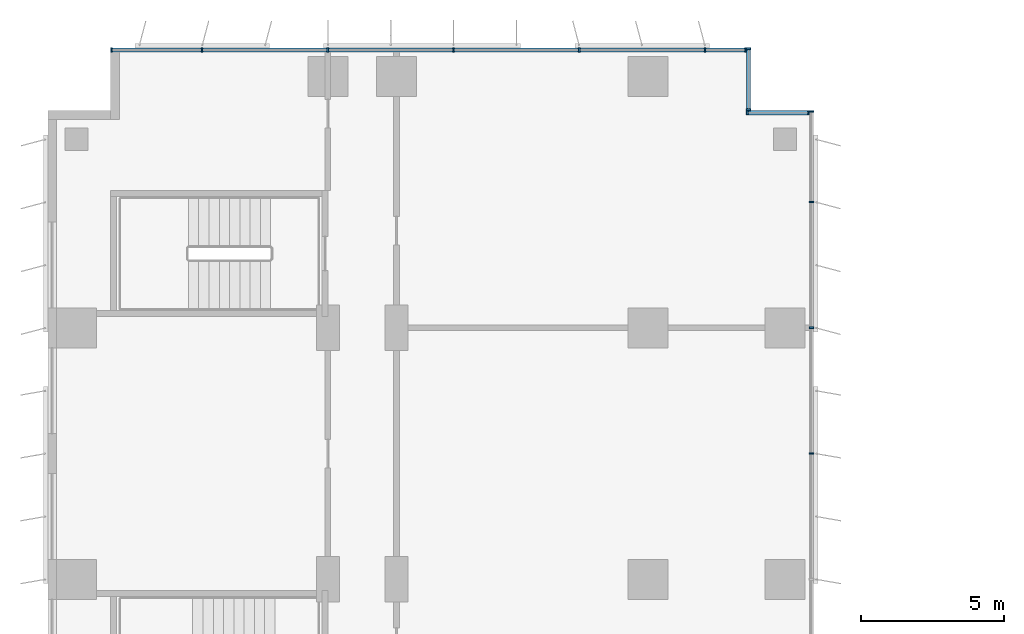
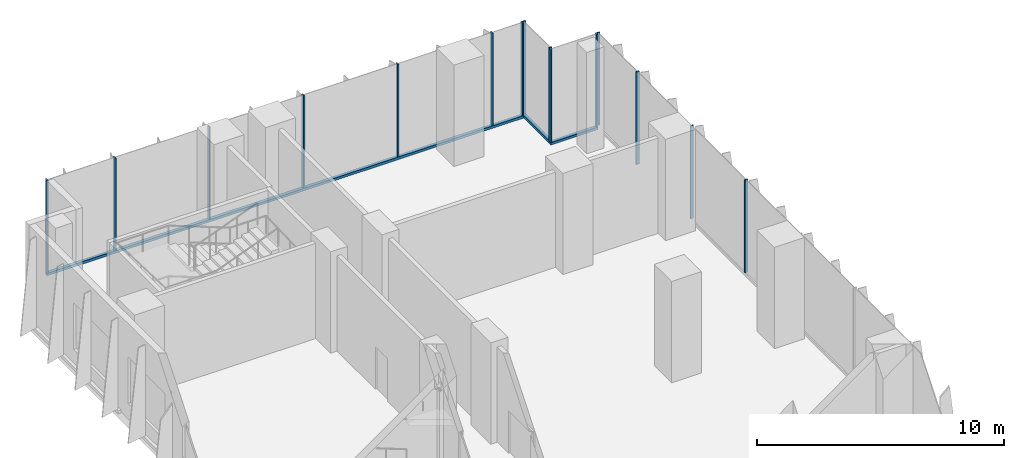
# One storey, part 9 of 23: 18 members, 4 elements without a shape of their own.
"""IFC4 building model written with IfcOpenShell, lengths in metres."""

from ifc_helpers import new_model, si_unit, direction, frame, origin, origin_2d, place, context, subcontext, project, spatial, rectangle, extrude, source, transform, mapped, material, material_profile, profile_set, type_object, element, aggregate, save


model = new_model("IFC4")

# Units and contexts
model_context = context("Model", 3, precision=1e-05, world=origin(), true_north=direction((0.0, 1.0)))
body_context = subcontext(model_context, "Body", "Model", "MODEL_VIEW")
ifc_project = project(units=[si_unit("LENGTHUNIT", "METRE"), si_unit("AREAUNIT", "SQUARE_METRE"), si_unit("VOLUMEUNIT", "CUBIC_METRE"), si_unit("PLANEANGLEUNIT", "RADIAN"), si_unit("MASSUNIT", "GRAM", prefix="KILO")], contexts=[model_context])

# Site, building, storey
site_placement = place(None, origin())
site = spatial("IfcSite", under=ifc_project, at=site_placement, CompositionType="ELEMENT")
building_placement = place(site_placement, origin())
building = spatial("IfcBuilding", under=site, at=building_placement, Name="Kemantara Hotel Tower", CompositionType="ELEMENT")
storey_placement = place(building_placement, frame((0.0, 0.0, 71.0)))
storey = spatial("IfcBuildingStorey", under=building, at=storey_placement, Name="L16", CompositionType="ELEMENT", Elevation=71.0)

# Curtain wall, member
ifc_material_1 = material(Name="Low-E tinted double insulated glass 36 mm", Category="glass")
curtain_wall_type = type_object("IfcCurtainWallType", Name="TOWER CURTAIN WALL, FRONT FACES", PredefinedType="USERDEFINED", material=ifc_material_1)
curtain_wall_1_placement = place(storey_placement, origin())
curtain_wall_1 = element("IfcCurtainWall", 1, at=curtain_wall_1_placement, inside=storey, type_object=curtain_wall_type, Name="CW4 L16 T1-R11-1", ObjectType="TOWER CURTAIN WALL, FRONT FACES", PredefinedType="USERDEFINED")
ifc_material_2 = material(Name="Aluminium 6063-T6 bronze anodised", Category="aluminium")
ifc_material_profile_1 = material_profile(ifc_material_2, rectangle(XDim=0.14990234375, YDim=0.1201171875, at=origin_2d()), Name="TOWER CURTAIN WALL, FRONT FACES TRANSOM")
ifc_profile_set_1 = profile_set([ifc_material_profile_1], Name="Aluminium 6063-T6 bronze anodised")
member_type_1 = type_object("IfcMemberType", Name="TOWER CURTAIN WALL, FRONT FACES TRANSOM", PredefinedType="USERDEFINED", material=ifc_profile_set_1)
member_1_placement = place(storey_placement, frame((24.449951171875, 81.125, 0.06005859375), z_axis=(-1.0, 0.0, 0.0), x_axis=(0.0, -1.0, 0.0)))
member_1 = element("IfcMember", 2, at=member_1_placement, type_object=member_type_1, Name="CW4 sill transom T1-R11-1", ObjectType="TRANSOM", PredefinedType="USERDEFINED", context=body_context, shape_type="SweptSolid", body=[
    extrude(rectangle(XDim=0.14990234375, YDim=0.1201171875, at=origin_2d()), origin(), (0.0, 0.0, 1.0), 22.25),
])

curtain_wall_2_placement = place(storey_placement, origin())
curtain_wall_2 = element("IfcCurtainWall", 3, at=curtain_wall_2_placement, inside=storey, type_object=curtain_wall_type, Name="CW4 L16 T1-R09-1", ObjectType="TOWER CURTAIN WALL, FRONT FACES", PredefinedType="USERDEFINED")
member_2_placement = place(storey_placement, frame((26.64990234375, 78.925048828125, 0.06005859375), z_axis=(-1.0, 0.0, 0.0), x_axis=(0.0, -1.0, 0.0)))
member_2 = element("IfcMember", 4, at=member_2_placement, type_object=member_type_1, Name="CW4 sill transom T1-R09-1", ObjectType="TRANSOM", PredefinedType="USERDEFINED", context=body_context, shape_type="SweptSolid", body=[
    extrude(rectangle(XDim=0.14990234375, YDim=0.1201171875, at=origin_2d()), origin(), (0.0, 0.0, 1.0), 2.199951171875),
])

curtain_wall_3_placement = place(storey_placement, origin())
curtain_wall_3 = element("IfcCurtainWall", 5, at=curtain_wall_3_placement, inside=storey, type_object=curtain_wall_type, Name="CW4 L16 T1-R10-1", ObjectType="TOWER CURTAIN WALL, FRONT FACES", PredefinedType="USERDEFINED")
member_3_placement = place(storey_placement, frame((24.52490234375, 79.0, 0.06005859375), z_axis=(0.0, 1.0, 0.0), x_axis=(-1.0, 0.0, 0.0)))
member_3 = element("IfcMember", 6, at=member_3_placement, type_object=member_type_1, Name="CW4 sill transom T1-R10-1", ObjectType="TRANSOM", PredefinedType="USERDEFINED", context=body_context, shape_type="SweptSolid", body=[
    extrude(rectangle(XDim=0.14990234375, YDim=0.1201171875, at=origin_2d()), origin(), (0.0, 0.0, 1.0), 2.199951171875),
])

# Curtain wall, members
curtain_wall_4_placement = place(storey_placement, origin())
curtain_wall_4 = element("IfcCurtainWall", 7, at=curtain_wall_4_placement, inside=storey, type_object=curtain_wall_type, Name="CW4 L16 T1-R08-1", ObjectType="TOWER CURTAIN WALL, FRONT FACES", PredefinedType="USERDEFINED")
ifc_material_profile_2 = material_profile(ifc_material_2, rectangle(XDim=0.14990234375, YDim=0.06005859375, at=origin_2d()), Name="TOWER CURTAIN WALL, FRONT FACES MULLION")
ifc_profile_set_2 = profile_set([ifc_material_profile_2], Name="Aluminium 6063-T6 bronze anodised")
member_type_2 = type_object("IfcMemberType", Name="TOWER CURTAIN WALL, FRONT FACES MULLION", PredefinedType="MULLION", material=ifc_profile_set_2)
shared_shape = source(origin(), body_context, "Body", "SweptSolid", [
    extrude(rectangle(XDim=0.14990234375, YDim=0.06005859375, at=origin_2d()), origin(), (0.0, 0.0, 1.0), 4.579833984375),
])
member_4_placement = place(storey_placement, frame((26.72509765625, 67.0, 0.1201171875), z_axis=(0.0, 0.0, 1.0), x_axis=(-1.0, 0.0, 0.0)))
member_4 = element("IfcMember", 8, at=member_4_placement, type_object=member_type_2, Name="CW4 mullion T1-R08-1.11", PredefinedType="MULLION", context=body_context, shape_type="MappedRepresentation", body=[
    mapped(shared_shape, transform((0.0, 0.0, 0.0))),
])
member_5_placement = place(storey_placement, frame((26.72509765625, 71.39990234375, 0.1201171875), z_axis=(0.0, 0.0, 1.0), x_axis=(-1.0, 0.0, 0.0)))
member_5 = element("IfcMember", 9, at=member_5_placement, type_object=member_type_2, Name="CW4 mullion T1-R08-1.12", PredefinedType="MULLION", context=body_context, shape_type="MappedRepresentation", body=[
    mapped(shared_shape, transform((0.0, 0.0, 0.0))),
])
member_6_placement = place(storey_placement, frame((26.72509765625, 75.800048828125, 0.1201171875), z_axis=(0.0, 0.0, 1.0), x_axis=(-1.0, 0.0, 0.0)))
member_6 = element("IfcMember", 10, at=member_6_placement, type_object=member_type_2, Name="CW4 mullion T1-R08-1.13", PredefinedType="MULLION", context=body_context, shape_type="MappedRepresentation", body=[
    mapped(shared_shape, transform((0.0, 0.0, 0.0))),
])
member_7_placement = place(storey_placement, frame((26.72509765625, 78.969970703125, 0.1201171875), z_axis=(0.0, 0.0, 1.0), x_axis=(-1.0, 0.0, 0.0)))
member_7 = element("IfcMember", 11, at=member_7_placement, type_object=member_type_2, Name="CW4 mullion T1-R08-1.14", PredefinedType="MULLION", context=body_context, shape_type="MappedRepresentation", body=[
    mapped(shared_shape, transform((0.0, 0.0, 0.0))),
])
aggregate(curtain_wall_4, [member_4, member_5, member_6, member_7])

# Member
member_8_placement = place(storey_placement, frame((24.419921875, 81.125, 0.1201171875), z_axis=(0.0, 0.0, 1.0), x_axis=(0.0, -1.0, 0.0)))
member_8 = element("IfcMember", 12, at=member_8_placement, type_object=member_type_2, Name="CW4 mullion T1-R11-1.1", PredefinedType="MULLION", context=body_context, shape_type="MappedRepresentation", body=[
    mapped(shared_shape, transform((0.0, 0.0, 0.0))),
])

member_9_placement = place(storey_placement, frame((23.0, 81.125, 0.1201171875), z_axis=(0.0, 0.0, 1.0), x_axis=(0.0, -1.0, 0.0)))
member_9 = element("IfcMember", 13, at=member_9_placement, type_object=member_type_2, Name="CW4 mullion T1-R11-1.2", PredefinedType="MULLION", context=body_context, shape_type="MappedRepresentation", body=[
    mapped(shared_shape, transform((0.0, 0.0, 0.0))),
])

member_10_placement = place(storey_placement, frame((18.60009765625, 81.125, 0.1201171875), z_axis=(0.0, 0.0, 1.0), x_axis=(0.0, -1.0, 0.0)))
member_10 = element("IfcMember", 14, at=member_10_placement, type_object=member_type_2, Name="CW4 mullion T1-R11-1.3", PredefinedType="MULLION", context=body_context, shape_type="MappedRepresentation", body=[
    mapped(shared_shape, transform((0.0, 0.0, 0.0))),
])

member_11_placement = place(storey_placement, frame((14.199951171875, 81.125, 0.1201171875), z_axis=(0.0, 0.0, 1.0), x_axis=(0.0, -1.0, 0.0)))
member_11 = element("IfcMember", 15, at=member_11_placement, type_object=member_type_2, Name="CW4 mullion T1-R11-1.4", PredefinedType="MULLION", context=body_context, shape_type="MappedRepresentation", body=[
    mapped(shared_shape, transform((0.0, 0.0, 0.0))),
])

member_12_placement = place(storey_placement, frame((9.800048828125, 81.125, 0.1201171875), z_axis=(0.0, 0.0, 1.0), x_axis=(0.0, -1.0, 0.0)))
member_12 = element("IfcMember", 16, at=member_12_placement, type_object=member_type_2, Name="CW4 mullion T1-R11-1.5", PredefinedType="MULLION", context=body_context, shape_type="MappedRepresentation", body=[
    mapped(shared_shape, transform((0.0, 0.0, 0.0))),
])

member_13_placement = place(storey_placement, frame((5.39990234375, 81.125, 0.1201171875), z_axis=(0.0, 0.0, 1.0), x_axis=(0.0, -1.0, 0.0)))
member_13 = element("IfcMember", 17, at=member_13_placement, type_object=member_type_2, Name="CW4 mullion T1-R11-1.6", PredefinedType="MULLION", context=body_context, shape_type="MappedRepresentation", body=[
    mapped(shared_shape, transform((0.0, 0.0, 0.0))),
])

member_14_placement = place(storey_placement, frame((2.22998046875, 81.125, 0.1201171875), z_axis=(0.0, 0.0, 1.0), x_axis=(0.0, -1.0, 0.0)))
member_14 = element("IfcMember", 18, at=member_14_placement, type_object=member_type_2, Name="CW4 mullion T1-R11-1.7", PredefinedType="MULLION", context=body_context, shape_type="MappedRepresentation", body=[
    mapped(shared_shape, transform((0.0, 0.0, 0.0))),
])

aggregate(curtain_wall_1, [member_1, member_8, member_9, member_10, member_11, member_12, member_13, member_14])

member_15_placement = place(storey_placement, frame((26.6201171875, 78.925048828125, 0.1201171875), z_axis=(0.0, 0.0, 1.0), x_axis=(0.0, -1.0, 0.0)))
member_15 = element("IfcMember", 19, at=member_15_placement, type_object=member_type_2, Name="CW4 mullion T1-R09-1.1", PredefinedType="MULLION", context=body_context, shape_type="MappedRepresentation", body=[
    mapped(shared_shape, transform((0.0, 0.0, 0.0))),
])

member_16_placement = place(storey_placement, frame((24.47998046875, 78.925048828125, 0.1201171875), z_axis=(0.0, 0.0, 1.0), x_axis=(0.0, -1.0, 0.0)))
member_16 = element("IfcMember", 20, at=member_16_placement, type_object=member_type_2, Name="CW4 mullion T1-R09-1.2", PredefinedType="MULLION", context=body_context, shape_type="MappedRepresentation", body=[
    mapped(shared_shape, transform((0.0, 0.0, 0.0))),
])

aggregate(curtain_wall_2, [member_2, member_15, member_16])

member_17_placement = place(storey_placement, frame((24.52490234375, 79.030029296875, 0.1201171875), z_axis=(0.0, 0.0, 1.0), x_axis=(-1.0, 0.0, 0.0)))
member_17 = element("IfcMember", 21, at=member_17_placement, type_object=member_type_2, Name="CW4 mullion T1-R10-1.1", PredefinedType="MULLION", context=body_context, shape_type="MappedRepresentation", body=[
    mapped(shared_shape, transform((0.0, 0.0, 0.0))),
])

member_18_placement = place(storey_placement, frame((24.52490234375, 81.169921875, 0.1201171875), z_axis=(0.0, 0.0, 1.0), x_axis=(-1.0, 0.0, 0.0)))
member_18 = element("IfcMember", 22, at=member_18_placement, type_object=member_type_2, Name="CW4 mullion T1-R10-1.2", PredefinedType="MULLION", context=body_context, shape_type="MappedRepresentation", body=[
    mapped(shared_shape, transform((0.0, 0.0, 0.0))),
])

aggregate(curtain_wall_3, [member_3, member_17, member_18])

save(model, "model.ifc")
